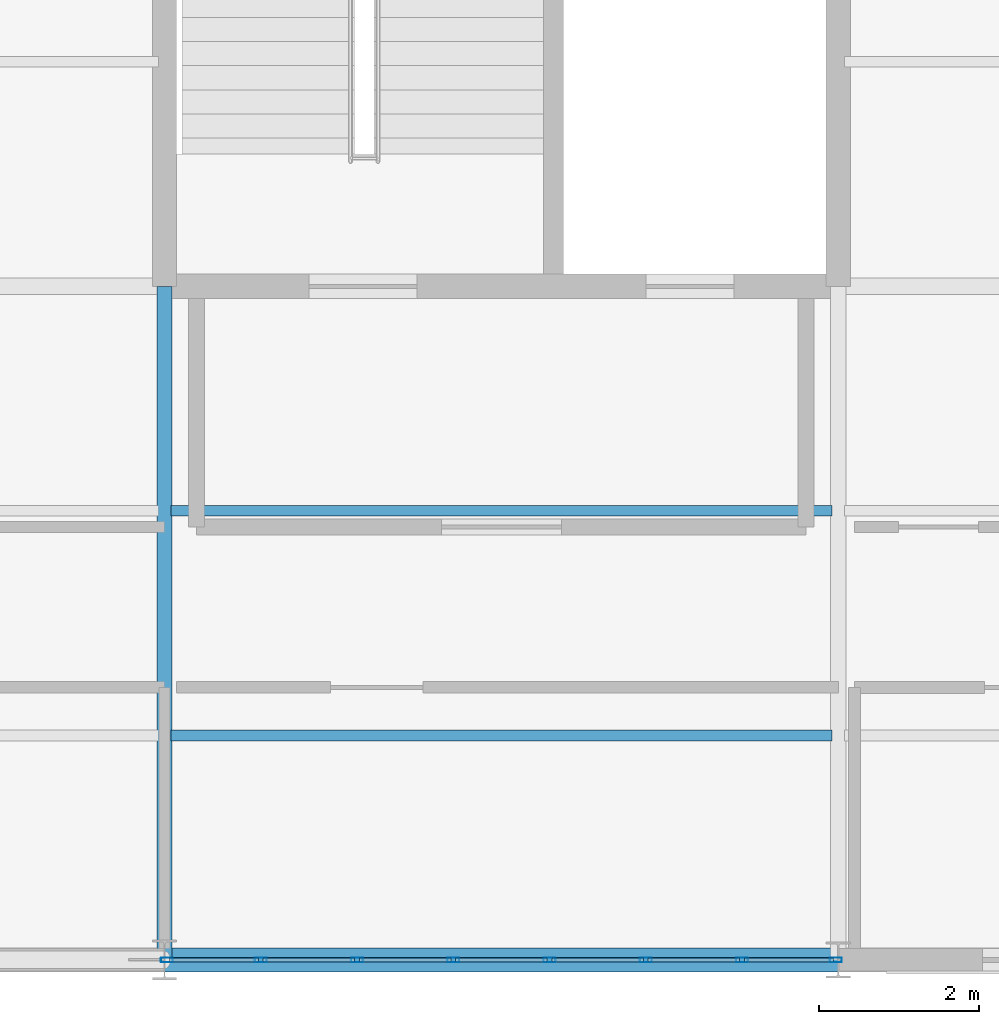
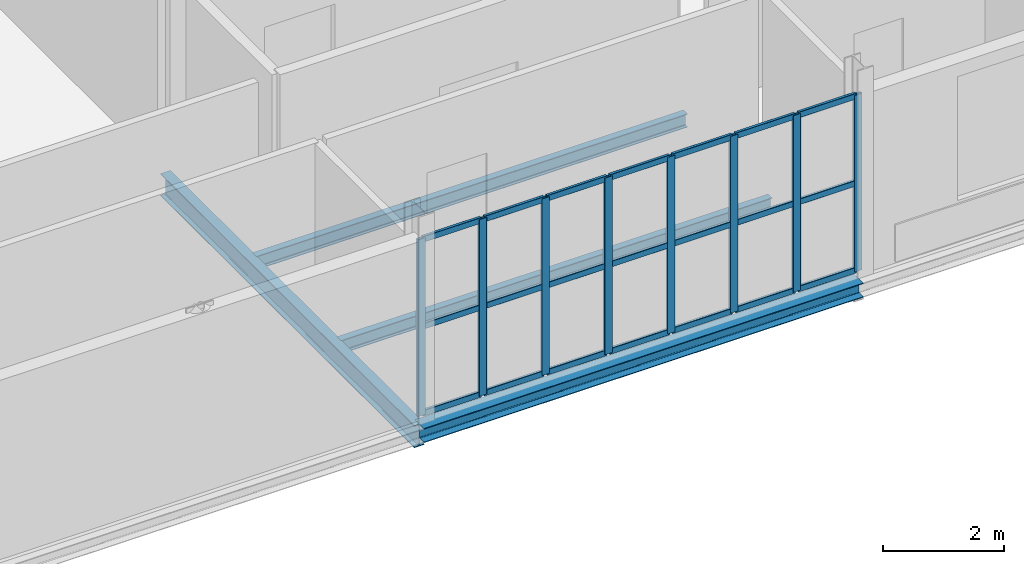
# One storey, part 24 of 69: 29 members, 4 beams, 1 element without a shape of its own.
"""IFC4 building model written with IfcOpenShell, lengths in metres."""

from ifc_helpers import new_model, si_unit, direction, frame, origin, origin_2d, place, context, subcontext, project, spatial, hollow_rectangle, i_section, extrude, material, layer, layer_set, material_profile, profile_set, type_object, element, aggregate, save


model = new_model("IFC4")

# Units and contexts
model_context = context("Model", 3, precision=1e-05, world=origin(), true_north=direction((0.0, 1.0)))
body_context = subcontext(model_context, "Body", "Model", "MODEL_VIEW")
ifc_project = project(units=[si_unit("LENGTHUNIT", "METRE"), si_unit("AREAUNIT", "SQUARE_METRE"), si_unit("VOLUMEUNIT", "CUBIC_METRE"), si_unit("PLANEANGLEUNIT", "RADIAN"), si_unit("MASSUNIT", "GRAM", prefix="KILO")], contexts=[model_context])

# Site, building, storey
site_placement = place(None, origin())
site = spatial("IfcSite", under=ifc_project, at=site_placement, CompositionType="ELEMENT")
building_placement = place(site_placement, origin())
building = spatial("IfcBuilding", under=site, at=building_placement, Name="Qalvenar Corner Mobility Hub", CompositionType="ELEMENT")
storey_placement = place(building_placement, frame((0.0, 0.0, 13.199951171875)))
storey = spatial("IfcBuildingStorey", under=building, at=storey_placement, Name="L03", CompositionType="ELEMENT", Elevation=13.199951171875)

# Beams
ifc_material_1 = material(Name="Steel S355", Category="steel")
ifc_material_profile_1 = material_profile(ifc_material_1, i_section(OverallWidth=0.18994140625, OverallDepth=0.449951171875, WebThickness=0.009521484375, FlangeThickness=0.0146484375, FilletRadius=0.02099609375, at=origin_2d()), Name="IPE450")
ifc_profile_set_1 = profile_set([ifc_material_profile_1], Name="Steel S355")
beam_type_1 = type_object("IfcBeamType", Name="BM-IPE450", PredefinedType="BEAM", material=ifc_profile_set_1)
beam_1_placement = place(storey_placement, frame((33.60009765625, 0.0, -0.405029296875), z_axis=(0.0, 1.0, 0.0), x_axis=(-1.0, 0.0, 0.0)))
element("IfcBeam", 1, at=beam_1_placement, inside=storey, type_object=beam_type_1, Name="Primary Steel Girder GY-2244", PredefinedType="BEAM", context=body_context, shape_type="SweptSolid", body=[
    extrude(i_section(OverallWidth=0.18994140625, OverallDepth=0.449951171875, WebThickness=0.009521484375, FlangeThickness=0.0146484375, FilletRadius=0.02099609375, at=origin_2d()), origin(), (0.0, 0.0, 1.0), 8.39990234375),
])
ifc_material_profile_2 = material_profile(ifc_material_1, i_section(OverallWidth=0.135009765625, OverallDepth=0.27001953125, WebThickness=0.006591796875, FlangeThickness=0.01025390625, FilletRadius=0.014892578125, at=origin_2d()), Name="IPE270")
ifc_profile_set_2 = profile_set([ifc_material_profile_2], Name="Steel S355")
beam_type_2 = type_object("IfcBeamType", Name="BM-JST270", PredefinedType="JOIST", material=ifc_profile_set_2)
for number, where, z_axis, x_axis, name in (
    (2, (33.677978515625, 2.800048828125, -0.31494140625), (1.0, 0.0, 0.0), (0.0, 1.0, 0.0), "Composite Floor Joist J-2298"),
    (3, (33.677978515625, 5.60009765625, -0.31494140625), (1.0, 0.0, 0.0), (0.0, 1.0, 0.0), "Composite Floor Joist J-2299"),
):
    element("IfcBeam", number, at=place(storey_placement, frame(where, z_axis=z_axis, x_axis=x_axis)), inside=storey, type_object=beam_type_2, Name=name, PredefinedType="JOIST", context=body_context, shape_type="SweptSolid", body=[
        extrude(i_section(OverallWidth=0.135009765625, OverallDepth=0.27001953125, WebThickness=0.006591796875, FlangeThickness=0.01025390625, FilletRadius=0.014892578125, at=origin_2d()), origin(), (0.0, 0.0, 1.0), 8.244140625),
    ])
ifc_material_profile_3 = material_profile(ifc_material_1, i_section(OverallWidth=0.300048828125, OverallDepth=0.2900390625, WebThickness=0.008544921875, FlangeThickness=0.013916015625, FilletRadius=0.027099609375, at=origin_2d()), Name="HEA300")
ifc_profile_set_3 = profile_set([ifc_material_profile_3], Name="Steel S355")
beam_type_3 = type_object("IfcBeamType", Name="BM-SPN300", PredefinedType="SPANDREL", material=ifc_profile_set_3)
beam_2_placement = place(storey_placement, frame((33.60009765625, 0.0, -0.324951171875), z_axis=(1.0, 0.0, 0.0), x_axis=(0.0, 1.0, 0.0)))
element("IfcBeam", 4, at=beam_2_placement, inside=storey, type_object=beam_type_3, Name="Primary Steel Girder GX-2192", PredefinedType="SPANDREL", context=body_context, shape_type="SweptSolid", body=[
    extrude(i_section(OverallWidth=0.300048828125, OverallDepth=0.2900390625, WebThickness=0.008544921875, FlangeThickness=0.013916015625, FilletRadius=0.027099609375, at=origin_2d()), origin(), (0.0, 0.0, 1.0), 8.39990234375),
])

# Curtain wall, members
ifc_material_2 = material(Name="Anodised Aluminium and Low-E Glazing", Category="aluminium")
ifc_layer = layer(ifc_material_2, 0.14990234375)
ifc_layer_set = layer_set([ifc_layer], Name="Anodised Aluminium and Low-E Glazing")
curtain_wall_type = type_object("IfcCurtainWallType", Name="CW-CIV-84X40", PredefinedType="NOTDEFINED", material=ifc_layer_set)
curtain_wall_placement = place(storey_placement, origin())
curtain_wall = element("IfcCurtainWall", 5, at=curtain_wall_placement, inside=storey, type_object=curtain_wall_type, Name="Glazed Curtain Wall CW-V3-L03-S4", PredefinedType="NOTDEFINED")
ifc_material_3 = material(Name="Anodised Aluminium 6063-T6", Category="aluminium")
ifc_material_profile_4 = material_profile(ifc_material_3, hollow_rectangle(XDim=0.06005859375, YDim=0.14990234375, WallThickness=0.00390625, InnerFilletRadius=0.00390625, OuterFilletRadius=0.008056640625, at=origin_2d()), Name="RHS150x60x4")
ifc_profile_set_4 = profile_set([ifc_material_profile_4], Name="Anodised Aluminium 6063-T6")
member_type_1 = type_object("IfcMemberType", Name="CW-MUL150", PredefinedType="MULLION", material=ifc_profile_set_4)
member_1_placement = place(storey_placement, frame((33.6298828125, 0.0, 0.0), z_axis=(0.0, 0.0, 1.0), x_axis=(0.0, 1.0, 0.0)))
member_1 = element("IfcMember", 6, at=member_1_placement, type_object=member_type_1, Name="CW-05 mullion 1", PredefinedType="MULLION", context=body_context, shape_type="SweptSolid", body=[
    extrude(hollow_rectangle(XDim=0.06005859375, YDim=0.14990234375, WallThickness=0.00390625, InnerFilletRadius=0.00390625, OuterFilletRadius=0.008056640625, at=origin_2d()), origin(), (0.0, 0.0, 1.0), 3.570068359375),
])
member_2_placement = place(storey_placement, frame((34.800048828125, 0.0, 0.0), z_axis=(0.0, 0.0, 1.0), x_axis=(0.0, 1.0, 0.0)))
member_2 = element("IfcMember", 7, at=member_2_placement, type_object=member_type_1, Name="CW-05 mullion 2", PredefinedType="MULLION", context=body_context, shape_type="SweptSolid", body=[
    extrude(hollow_rectangle(XDim=0.06005859375, YDim=0.14990234375, WallThickness=0.00390625, InnerFilletRadius=0.00390625, OuterFilletRadius=0.008056640625, at=origin_2d()), origin(), (0.0, 0.0, 1.0), 3.570068359375),
])
member_3_placement = place(storey_placement, frame((36.0, 0.0, 0.0), z_axis=(0.0, 0.0, 1.0), x_axis=(0.0, 1.0, 0.0)))
member_3 = element("IfcMember", 8, at=member_3_placement, type_object=member_type_1, Name="CW-05 mullion 3", PredefinedType="MULLION", context=body_context, shape_type="SweptSolid", body=[
    extrude(hollow_rectangle(XDim=0.06005859375, YDim=0.14990234375, WallThickness=0.00390625, InnerFilletRadius=0.00390625, OuterFilletRadius=0.008056640625, at=origin_2d()), origin(), (0.0, 0.0, 1.0), 3.570068359375),
])
member_4_placement = place(storey_placement, frame((37.199951171875, 0.0, 0.0), z_axis=(0.0, 0.0, 1.0), x_axis=(0.0, 1.0, 0.0)))
member_4 = element("IfcMember", 9, at=member_4_placement, type_object=member_type_1, Name="CW-05 mullion 4", PredefinedType="MULLION", context=body_context, shape_type="SweptSolid", body=[
    extrude(hollow_rectangle(XDim=0.06005859375, YDim=0.14990234375, WallThickness=0.00390625, InnerFilletRadius=0.00390625, OuterFilletRadius=0.008056640625, at=origin_2d()), origin(), (0.0, 0.0, 1.0), 3.570068359375),
])
member_5_placement = place(storey_placement, frame((38.39990234375, 0.0, 0.0), z_axis=(0.0, 0.0, 1.0), x_axis=(0.0, 1.0, 0.0)))
member_5 = element("IfcMember", 10, at=member_5_placement, type_object=member_type_1, Name="CW-05 mullion 5", PredefinedType="MULLION", context=body_context, shape_type="SweptSolid", body=[
    extrude(hollow_rectangle(XDim=0.06005859375, YDim=0.14990234375, WallThickness=0.00390625, InnerFilletRadius=0.00390625, OuterFilletRadius=0.008056640625, at=origin_2d()), origin(), (0.0, 0.0, 1.0), 3.570068359375),
])
member_6_placement = place(storey_placement, frame((39.60009765625, 0.0, 0.0), z_axis=(0.0, 0.0, 1.0), x_axis=(0.0, 1.0, 0.0)))
member_6 = element("IfcMember", 11, at=member_6_placement, type_object=member_type_1, Name="CW-05 mullion 6", PredefinedType="MULLION", context=body_context, shape_type="SweptSolid", body=[
    extrude(hollow_rectangle(XDim=0.06005859375, YDim=0.14990234375, WallThickness=0.00390625, InnerFilletRadius=0.00390625, OuterFilletRadius=0.008056640625, at=origin_2d()), origin(), (0.0, 0.0, 1.0), 3.570068359375),
])
member_7_placement = place(storey_placement, frame((40.800048828125, 0.0, 0.0), z_axis=(0.0, 0.0, 1.0), x_axis=(0.0, 1.0, 0.0)))
member_7 = element("IfcMember", 12, at=member_7_placement, type_object=member_type_1, Name="CW-05 mullion 7", PredefinedType="MULLION", context=body_context, shape_type="SweptSolid", body=[
    extrude(hollow_rectangle(XDim=0.06005859375, YDim=0.14990234375, WallThickness=0.00390625, InnerFilletRadius=0.00390625, OuterFilletRadius=0.008056640625, at=origin_2d()), origin(), (0.0, 0.0, 1.0), 3.570068359375),
])
member_8_placement = place(storey_placement, frame((41.969970703125, 0.0, 0.0), z_axis=(0.0, 0.0, 1.0), x_axis=(0.0, 1.0, 0.0)))
member_8 = element("IfcMember", 13, at=member_8_placement, type_object=member_type_1, Name="CW-05 mullion 8", PredefinedType="MULLION", context=body_context, shape_type="SweptSolid", body=[
    extrude(hollow_rectangle(XDim=0.06005859375, YDim=0.14990234375, WallThickness=0.00390625, InnerFilletRadius=0.00390625, OuterFilletRadius=0.008056640625, at=origin_2d()), origin(), (0.0, 0.0, 1.0), 3.570068359375),
])
ifc_material_profile_5 = material_profile(ifc_material_3, hollow_rectangle(XDim=0.054931640625, YDim=0.1201171875, WallThickness=0.00341796875, InnerFilletRadius=0.00341796875, OuterFilletRadius=0.007080078125, at=origin_2d()), Name="RHS120x55x3.5")
ifc_profile_set_5 = profile_set([ifc_material_profile_5], Name="Anodised Aluminium 6063-T6")
member_type_2 = type_object("IfcMemberType", Name="CW-TRN120", PredefinedType="USERDEFINED", material=ifc_profile_set_5)
member_9_placement = place(storey_placement, frame((33.659912109375, 0.0, 0.027587890625), z_axis=(1.0, 0.0, 0.0), x_axis=(0.0, 1.0, 0.0)))
member_9 = element("IfcMember", 14, at=member_9_placement, type_object=member_type_2, Name="CW-05 transom 1.1", ObjectType="TRANSOM", PredefinedType="USERDEFINED", context=body_context, shape_type="SweptSolid", body=[
    extrude(hollow_rectangle(XDim=0.054931640625, YDim=0.1201171875, WallThickness=0.00341796875, InnerFilletRadius=0.00341796875, OuterFilletRadius=0.007080078125, at=origin_2d()), origin(), (0.0, 0.0, 1.0), 1.110107421875),
])
member_10_placement = place(storey_placement, frame((33.659912109375, 0.0, 1.78515625), z_axis=(1.0, 0.0, 0.0), x_axis=(0.0, 1.0, 0.0)))
member_10 = element("IfcMember", 15, at=member_10_placement, type_object=member_type_2, Name="CW-05 transom 1.2", ObjectType="TRANSOM", PredefinedType="USERDEFINED", context=body_context, shape_type="SweptSolid", body=[
    extrude(hollow_rectangle(XDim=0.054931640625, YDim=0.1201171875, WallThickness=0.00341796875, InnerFilletRadius=0.00341796875, OuterFilletRadius=0.007080078125, at=origin_2d()), origin(), (0.0, 0.0, 1.0), 1.110107421875),
])
member_11_placement = place(storey_placement, frame((33.659912109375, 0.0, 3.54248046875), z_axis=(1.0, 0.0, 0.0), x_axis=(0.0, 1.0, 0.0)))
member_11 = element("IfcMember", 16, at=member_11_placement, type_object=member_type_2, Name="CW-05 transom 1.3", ObjectType="TRANSOM", PredefinedType="USERDEFINED", context=body_context, shape_type="SweptSolid", body=[
    extrude(hollow_rectangle(XDim=0.054931640625, YDim=0.1201171875, WallThickness=0.00341796875, InnerFilletRadius=0.00341796875, OuterFilletRadius=0.007080078125, at=origin_2d()), origin(), (0.0, 0.0, 1.0), 1.110107421875),
])
member_12_placement = place(storey_placement, frame((34.830078125, 0.0, 0.027587890625), z_axis=(1.0, 0.0, 0.0), x_axis=(0.0, 1.0, 0.0)))
member_12 = element("IfcMember", 17, at=member_12_placement, type_object=member_type_2, Name="CW-05 transom 2.1", ObjectType="TRANSOM", PredefinedType="USERDEFINED", context=body_context, shape_type="SweptSolid", body=[
    extrude(hollow_rectangle(XDim=0.054931640625, YDim=0.1201171875, WallThickness=0.00341796875, InnerFilletRadius=0.00341796875, OuterFilletRadius=0.007080078125, at=origin_2d()), origin(), (0.0, 0.0, 1.0), 1.139892578125),
])
member_13_placement = place(storey_placement, frame((34.830078125, 0.0, 1.78515625), z_axis=(1.0, 0.0, 0.0), x_axis=(0.0, 1.0, 0.0)))
member_13 = element("IfcMember", 18, at=member_13_placement, type_object=member_type_2, Name="CW-05 transom 2.2", ObjectType="TRANSOM", PredefinedType="USERDEFINED", context=body_context, shape_type="SweptSolid", body=[
    extrude(hollow_rectangle(XDim=0.054931640625, YDim=0.1201171875, WallThickness=0.00341796875, InnerFilletRadius=0.00341796875, OuterFilletRadius=0.007080078125, at=origin_2d()), origin(), (0.0, 0.0, 1.0), 1.139892578125),
])
member_14_placement = place(storey_placement, frame((34.830078125, 0.0, 3.54248046875), z_axis=(1.0, 0.0, 0.0), x_axis=(0.0, 1.0, 0.0)))
member_14 = element("IfcMember", 19, at=member_14_placement, type_object=member_type_2, Name="CW-05 transom 2.3", ObjectType="TRANSOM", PredefinedType="USERDEFINED", context=body_context, shape_type="SweptSolid", body=[
    extrude(hollow_rectangle(XDim=0.054931640625, YDim=0.1201171875, WallThickness=0.00341796875, InnerFilletRadius=0.00341796875, OuterFilletRadius=0.007080078125, at=origin_2d()), origin(), (0.0, 0.0, 1.0), 1.139892578125),
])
member_15_placement = place(storey_placement, frame((36.030029296875, 0.0, 0.027587890625), z_axis=(1.0, 0.0, 0.0), x_axis=(0.0, 1.0, 0.0)))
member_15 = element("IfcMember", 20, at=member_15_placement, type_object=member_type_2, Name="CW-05 transom 3.1", ObjectType="TRANSOM", PredefinedType="USERDEFINED", context=body_context, shape_type="SweptSolid", body=[
    extrude(hollow_rectangle(XDim=0.054931640625, YDim=0.1201171875, WallThickness=0.00341796875, InnerFilletRadius=0.00341796875, OuterFilletRadius=0.007080078125, at=origin_2d()), origin(), (0.0, 0.0, 1.0), 1.139892578125),
])
member_16_placement = place(storey_placement, frame((36.030029296875, 0.0, 1.78515625), z_axis=(1.0, 0.0, 0.0), x_axis=(0.0, 1.0, 0.0)))
member_16 = element("IfcMember", 21, at=member_16_placement, type_object=member_type_2, Name="CW-05 transom 3.2", ObjectType="TRANSOM", PredefinedType="USERDEFINED", context=body_context, shape_type="SweptSolid", body=[
    extrude(hollow_rectangle(XDim=0.054931640625, YDim=0.1201171875, WallThickness=0.00341796875, InnerFilletRadius=0.00341796875, OuterFilletRadius=0.007080078125, at=origin_2d()), origin(), (0.0, 0.0, 1.0), 1.139892578125),
])
member_17_placement = place(storey_placement, frame((36.030029296875, 0.0, 3.54248046875), z_axis=(1.0, 0.0, 0.0), x_axis=(0.0, 1.0, 0.0)))
member_17 = element("IfcMember", 22, at=member_17_placement, type_object=member_type_2, Name="CW-05 transom 3.3", ObjectType="TRANSOM", PredefinedType="USERDEFINED", context=body_context, shape_type="SweptSolid", body=[
    extrude(hollow_rectangle(XDim=0.054931640625, YDim=0.1201171875, WallThickness=0.00341796875, InnerFilletRadius=0.00341796875, OuterFilletRadius=0.007080078125, at=origin_2d()), origin(), (0.0, 0.0, 1.0), 1.139892578125),
])
member_18_placement = place(storey_placement, frame((37.22998046875, 0.0, 0.027587890625), z_axis=(1.0, 0.0, 0.0), x_axis=(0.0, 1.0, 0.0)))
member_18 = element("IfcMember", 23, at=member_18_placement, type_object=member_type_2, Name="CW-05 transom 4.1", ObjectType="TRANSOM", PredefinedType="USERDEFINED", context=body_context, shape_type="SweptSolid", body=[
    extrude(hollow_rectangle(XDim=0.054931640625, YDim=0.1201171875, WallThickness=0.00341796875, InnerFilletRadius=0.00341796875, OuterFilletRadius=0.007080078125, at=origin_2d()), origin(), (0.0, 0.0, 1.0), 1.14013671875),
])
member_19_placement = place(storey_placement, frame((37.22998046875, 0.0, 1.78515625), z_axis=(1.0, 0.0, 0.0), x_axis=(0.0, 1.0, 0.0)))
member_19 = element("IfcMember", 24, at=member_19_placement, type_object=member_type_2, Name="CW-05 transom 4.2", ObjectType="TRANSOM", PredefinedType="USERDEFINED", context=body_context, shape_type="SweptSolid", body=[
    extrude(hollow_rectangle(XDim=0.054931640625, YDim=0.1201171875, WallThickness=0.00341796875, InnerFilletRadius=0.00341796875, OuterFilletRadius=0.007080078125, at=origin_2d()), origin(), (0.0, 0.0, 1.0), 1.14013671875),
])
member_20_placement = place(storey_placement, frame((37.22998046875, 0.0, 3.54248046875), z_axis=(1.0, 0.0, 0.0), x_axis=(0.0, 1.0, 0.0)))
member_20 = element("IfcMember", 25, at=member_20_placement, type_object=member_type_2, Name="CW-05 transom 4.3", ObjectType="TRANSOM", PredefinedType="USERDEFINED", context=body_context, shape_type="SweptSolid", body=[
    extrude(hollow_rectangle(XDim=0.054931640625, YDim=0.1201171875, WallThickness=0.00341796875, InnerFilletRadius=0.00341796875, OuterFilletRadius=0.007080078125, at=origin_2d()), origin(), (0.0, 0.0, 1.0), 1.14013671875),
])
member_21_placement = place(storey_placement, frame((38.429931640625, 0.0, 0.027587890625), z_axis=(1.0, 0.0, 0.0), x_axis=(0.0, 1.0, 0.0)))
member_21 = element("IfcMember", 26, at=member_21_placement, type_object=member_type_2, Name="CW-05 transom 5.1", ObjectType="TRANSOM", PredefinedType="USERDEFINED", context=body_context, shape_type="SweptSolid", body=[
    extrude(hollow_rectangle(XDim=0.054931640625, YDim=0.1201171875, WallThickness=0.00341796875, InnerFilletRadius=0.00341796875, OuterFilletRadius=0.007080078125, at=origin_2d()), origin(), (0.0, 0.0, 1.0), 1.14013671875),
])
member_22_placement = place(storey_placement, frame((38.429931640625, 0.0, 1.78515625), z_axis=(1.0, 0.0, 0.0), x_axis=(0.0, 1.0, 0.0)))
member_22 = element("IfcMember", 27, at=member_22_placement, type_object=member_type_2, Name="CW-05 transom 5.2", ObjectType="TRANSOM", PredefinedType="USERDEFINED", context=body_context, shape_type="SweptSolid", body=[
    extrude(hollow_rectangle(XDim=0.054931640625, YDim=0.1201171875, WallThickness=0.00341796875, InnerFilletRadius=0.00341796875, OuterFilletRadius=0.007080078125, at=origin_2d()), origin(), (0.0, 0.0, 1.0), 1.14013671875),
])
member_23_placement = place(storey_placement, frame((38.429931640625, 0.0, 3.54248046875), z_axis=(1.0, 0.0, 0.0), x_axis=(0.0, 1.0, 0.0)))
member_23 = element("IfcMember", 28, at=member_23_placement, type_object=member_type_2, Name="CW-05 transom 5.3", ObjectType="TRANSOM", PredefinedType="USERDEFINED", context=body_context, shape_type="SweptSolid", body=[
    extrude(hollow_rectangle(XDim=0.054931640625, YDim=0.1201171875, WallThickness=0.00341796875, InnerFilletRadius=0.00341796875, OuterFilletRadius=0.007080078125, at=origin_2d()), origin(), (0.0, 0.0, 1.0), 1.14013671875),
])
member_24_placement = place(storey_placement, frame((39.6298828125, 0.0, 0.027587890625), z_axis=(1.0, 0.0, 0.0), x_axis=(0.0, 1.0, 0.0)))
member_24 = element("IfcMember", 29, at=member_24_placement, type_object=member_type_2, Name="CW-05 transom 6.1", ObjectType="TRANSOM", PredefinedType="USERDEFINED", context=body_context, shape_type="SweptSolid", body=[
    extrude(hollow_rectangle(XDim=0.054931640625, YDim=0.1201171875, WallThickness=0.00341796875, InnerFilletRadius=0.00341796875, OuterFilletRadius=0.007080078125, at=origin_2d()), origin(), (0.0, 0.0, 1.0), 1.14013671875),
])
member_25_placement = place(storey_placement, frame((39.6298828125, 0.0, 1.78515625), z_axis=(1.0, 0.0, 0.0), x_axis=(0.0, 1.0, 0.0)))
member_25 = element("IfcMember", 30, at=member_25_placement, type_object=member_type_2, Name="CW-05 transom 6.2", ObjectType="TRANSOM", PredefinedType="USERDEFINED", context=body_context, shape_type="SweptSolid", body=[
    extrude(hollow_rectangle(XDim=0.054931640625, YDim=0.1201171875, WallThickness=0.00341796875, InnerFilletRadius=0.00341796875, OuterFilletRadius=0.007080078125, at=origin_2d()), origin(), (0.0, 0.0, 1.0), 1.14013671875),
])
member_26_placement = place(storey_placement, frame((39.6298828125, 0.0, 3.54248046875), z_axis=(1.0, 0.0, 0.0), x_axis=(0.0, 1.0, 0.0)))
member_26 = element("IfcMember", 31, at=member_26_placement, type_object=member_type_2, Name="CW-05 transom 6.3", ObjectType="TRANSOM", PredefinedType="USERDEFINED", context=body_context, shape_type="SweptSolid", body=[
    extrude(hollow_rectangle(XDim=0.054931640625, YDim=0.1201171875, WallThickness=0.00341796875, InnerFilletRadius=0.00341796875, OuterFilletRadius=0.007080078125, at=origin_2d()), origin(), (0.0, 0.0, 1.0), 1.14013671875),
])
member_27_placement = place(storey_placement, frame((40.830078125, 0.0, 0.027587890625), z_axis=(1.0, 0.0, 0.0), x_axis=(0.0, 1.0, 0.0)))
member_27 = element("IfcMember", 32, at=member_27_placement, type_object=member_type_2, Name="CW-05 transom 7.1", ObjectType="TRANSOM", PredefinedType="USERDEFINED", context=body_context, shape_type="SweptSolid", body=[
    extrude(hollow_rectangle(XDim=0.054931640625, YDim=0.1201171875, WallThickness=0.00341796875, InnerFilletRadius=0.00341796875, OuterFilletRadius=0.007080078125, at=origin_2d()), origin(), (0.0, 0.0, 1.0), 1.10986328125),
])
member_28_placement = place(storey_placement, frame((40.830078125, 0.0, 1.78515625), z_axis=(1.0, 0.0, 0.0), x_axis=(0.0, 1.0, 0.0)))
member_28 = element("IfcMember", 33, at=member_28_placement, type_object=member_type_2, Name="CW-05 transom 7.2", ObjectType="TRANSOM", PredefinedType="USERDEFINED", context=body_context, shape_type="SweptSolid", body=[
    extrude(hollow_rectangle(XDim=0.054931640625, YDim=0.1201171875, WallThickness=0.00341796875, InnerFilletRadius=0.00341796875, OuterFilletRadius=0.007080078125, at=origin_2d()), origin(), (0.0, 0.0, 1.0), 1.10986328125),
])
member_29_placement = place(storey_placement, frame((40.830078125, 0.0, 3.54248046875), z_axis=(1.0, 0.0, 0.0), x_axis=(0.0, 1.0, 0.0)))
member_29 = element("IfcMember", 34, at=member_29_placement, type_object=member_type_2, Name="CW-05 transom 7.3", ObjectType="TRANSOM", PredefinedType="USERDEFINED", context=body_context, shape_type="SweptSolid", body=[
    extrude(hollow_rectangle(XDim=0.054931640625, YDim=0.1201171875, WallThickness=0.00341796875, InnerFilletRadius=0.00341796875, OuterFilletRadius=0.007080078125, at=origin_2d()), origin(), (0.0, 0.0, 1.0), 1.10986328125),
])
aggregate(curtain_wall, [member_1, member_2, member_3, member_4, member_5, member_6, member_7, member_8, member_9, member_10, member_11, member_12, member_13, member_14, member_15, member_16, member_17, member_18, member_19, member_20, member_21, member_22, member_23, member_24, member_25, member_26, member_27, member_28, member_29])

save(model, "model.ifc")
